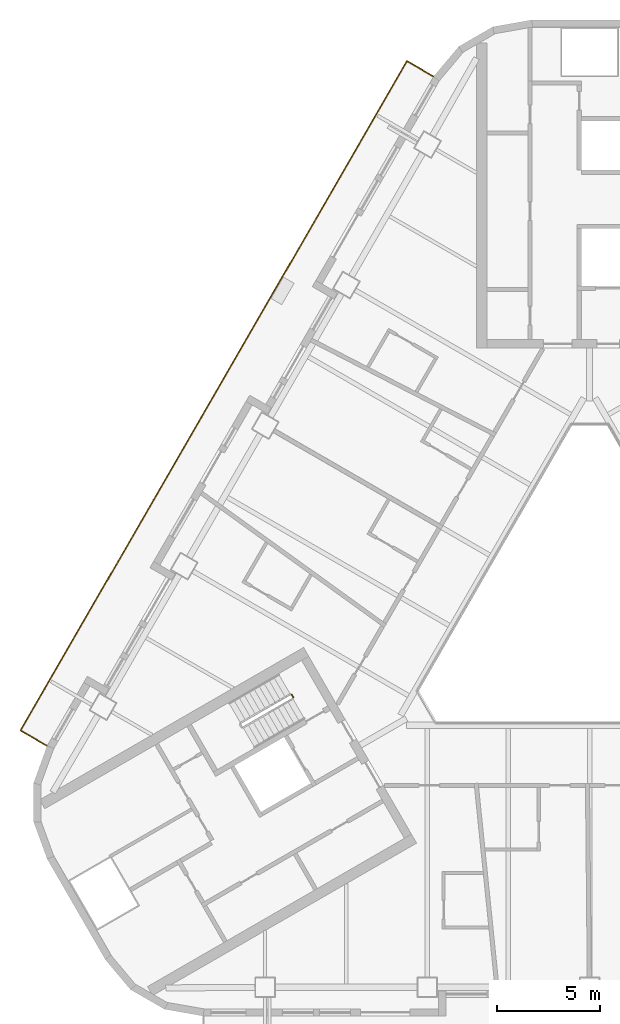
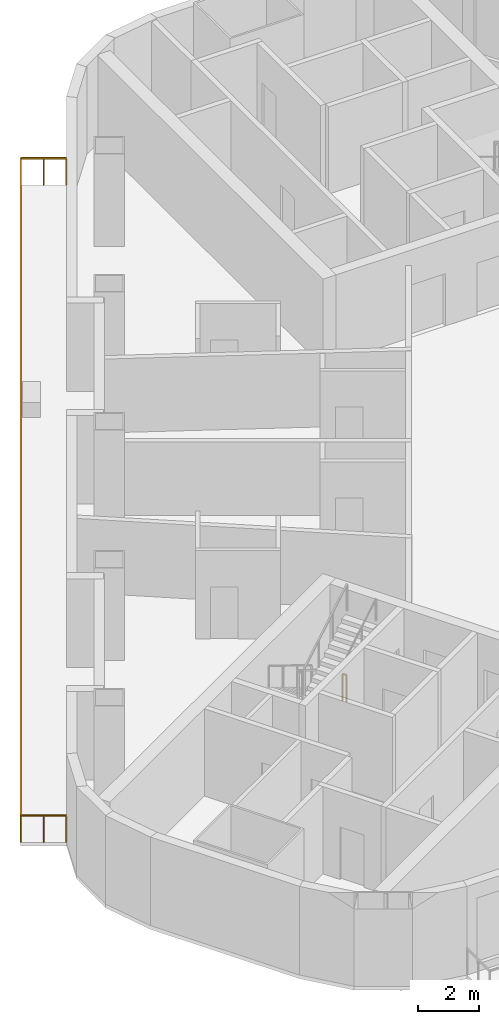
# One storey, part 11 of 14: 2 railings.
"""IFC4 building model written with IfcOpenShell, lengths in metres."""

from ifc_helpers import new_model, si_unit, direction, frame, origin, origin_2d, place, context, subcontext, project, spatial, rectangle, extrude, material, type_object, element, save


model = new_model("IFC4")

# Units and contexts
model_context = context("Model", 3, precision=1e-05, world=origin(), true_north=direction((0.0, 1.0)))
body_context = subcontext(model_context, "Body", "Model", "MODEL_VIEW")
ifc_project = project(units=[si_unit("LENGTHUNIT", "METRE"), si_unit("AREAUNIT", "SQUARE_METRE"), si_unit("VOLUMEUNIT", "CUBIC_METRE"), si_unit("PLANEANGLEUNIT", "RADIAN"), si_unit("MASSUNIT", "GRAM", prefix="KILO")], contexts=[model_context])

# Site, building, storey
site_placement = place(None, origin())
site = spatial("IfcSite", under=ifc_project, at=site_placement, CompositionType="ELEMENT")
building_placement = place(site_placement, origin())
building = spatial("IfcBuilding", under=site, at=building_placement, Name="Apuvela Tower Hotel", CompositionType="ELEMENT")
storey_placement = place(building_placement, frame((0.0, 0.0, 72.39990234375)))
storey = spatial("IfcBuildingStorey", under=building, at=storey_placement, Name="L15", CompositionType="ELEMENT", Elevation=72.39990234375)

# Railings
ifc_material_1 = material(Name="Steel S275 balustrade", Category="steel")
railing_type_1 = type_object("IfcRailingType", Name="COR-GUARD-1100", PredefinedType="GUARDRAIL", material=ifc_material_1)
railing_1_placement = place(storey_placement, frame((-14.500732421875, -3.984130859375, 0.0)))
element("IfcRailing", 1, at=railing_1_placement, inside=storey, type_object=railing_type_1, Name="L15 ST2 stair guard 4", PredefinedType="GUARDRAIL", context=body_context, shape_type="SweptSolid", body=[
    extrude(rectangle(XDim=0.048095703125, YDim=0.048095703125, at=origin_2d()), frame((0.0, 0.0, 1.076171875), z_axis=(0.499816412211, -0.866131372301, 0.0), x_axis=(0.866131372301, 0.499816412211, 0.0)), (0.0, 0.0, 1.0), 0.14990234375),
    extrude(rectangle(XDim=0.0419921875, YDim=0.0419921875, at=origin_2d()), origin(), (0.0, 0.0, 1.0), 1.052001953125),
    extrude(rectangle(XDim=0.0419921875, YDim=0.0419921875, at=origin_2d()), frame((0.074951171875, -0.1298828125, 0.0)), (0.0, 0.0, 1.0), 1.052001953125),
])
ifc_material_2 = material(Name="Stainless steel 316 rail with laminated glass infill", Category="steel")
railing_type_2 = type_object("IfcRailingType", Name="ENV-GUARD-1100", PredefinedType="GUARDRAIL", material=ifc_material_2)
railing_2_placement = place(storey_placement, frame((-7.59228515625, 26.110107421875, 0.0)))
element("IfcRailing", 2, at=railing_2_placement, inside=storey, type_object=railing_type_2, Name="Balcony guard NW L15", PredefinedType="GUARDRAIL", context=body_context, shape_type="SweptSolid", body=[
    extrude(rectangle(XDim=0.050048828125, YDim=0.050048828125, at=origin_2d()), frame((0.0, 0.0, 1.0751953125), z_axis=(-0.86599040064, 0.500060622324, 0.0), x_axis=(-0.500060622324, -0.86599040064, 0.0)), (0.0, 0.0, 1.0), 1.499755859375),
    extrude(rectangle(XDim=0.050048828125, YDim=0.050048828125, at=origin_2d()), frame((-1.298828125, 0.75, 1.0751953125), z_axis=(-0.500000437506, -0.86602515119, 0.0), x_axis=(0.86602515119, -0.500000437506, 0.0)), (0.0, 0.0, 1.0), 37.6318359375),
    extrude(rectangle(XDim=0.050048828125, YDim=0.050048828125, at=origin_2d()), frame((-20.11474609375, -31.840087890625, 1.0751953125), z_axis=(0.866031096941, -0.499990139034, 0.0), x_axis=(0.499990139034, 0.866031096941, 0.0)), (0.0, 0.0, 1.0), 1.5),
    extrude(rectangle(XDim=0.0400390625, YDim=0.0400390625, at=origin_2d()), origin(), (0.0, 0.0, 1.0), 1.050048828125),
    extrude(rectangle(XDim=0.0400390625, YDim=0.0400390625, at=origin_2d()), frame((-0.6494140625, 0.375, 0.0)), (0.0, 0.0, 1.0), 1.050048828125),
    extrude(rectangle(XDim=0.0400390625, YDim=0.0400390625, at=origin_2d()), frame((-1.298828125, 0.75, 0.0)), (0.0, 0.0, 1.0), 1.050048828125),
    extrude(rectangle(XDim=0.0400390625, YDim=0.0400390625, at=origin_2d()), frame((-1.88671875, -0.2685546875, 0.0)), (0.0, 0.0, 1.0), 1.050048828125),
    extrude(rectangle(XDim=0.0400390625, YDim=0.0400390625, at=origin_2d()), frame((-2.474853515625, -1.286865234375, 0.0)), (0.0, 0.0, 1.0), 1.050048828125),
    extrude(rectangle(XDim=0.0400390625, YDim=0.0400390625, at=origin_2d()), frame((-3.062744140625, -2.305419921875, 0.0)), (0.0, 0.0, 1.0), 1.050048828125),
    extrude(rectangle(XDim=0.0400390625, YDim=0.0400390625, at=origin_2d()), frame((-3.65087890625, -3.32373046875, 0.0)), (0.0, 0.0, 1.0), 1.050048828125),
    extrude(rectangle(XDim=0.0400390625, YDim=0.0400390625, at=origin_2d()), frame((-4.23876953125, -4.34228515625, 0.0)), (0.0, 0.0, 1.0), 1.050048828125),
    extrude(rectangle(XDim=0.0400390625, YDim=0.0400390625, at=origin_2d()), frame((-4.826904296875, -5.360595703125, 0.0)), (0.0, 0.0, 1.0), 1.050048828125),
    extrude(rectangle(XDim=0.0400390625, YDim=0.0400390625, at=origin_2d()), frame((-5.414794921875, -6.379150390625, 0.0)), (0.0, 0.0, 1.0), 1.050048828125),
    extrude(rectangle(XDim=0.0400390625, YDim=0.0400390625, at=origin_2d()), frame((-6.0029296875, -7.3974609375, 0.0)), (0.0, 0.0, 1.0), 1.050048828125),
    extrude(rectangle(XDim=0.0400390625, YDim=0.0400390625, at=origin_2d()), frame((-6.5908203125, -8.416015625, 0.0)), (0.0, 0.0, 1.0), 1.050048828125),
    extrude(rectangle(XDim=0.0400390625, YDim=0.0400390625, at=origin_2d()), frame((-7.1787109375, -9.434326171875, 0.0)), (0.0, 0.0, 1.0), 1.050048828125),
    extrude(rectangle(XDim=0.0400390625, YDim=0.0400390625, at=origin_2d()), frame((-7.766845703125, -10.452880859375, 0.0)), (0.0, 0.0, 1.0), 1.050048828125),
    extrude(rectangle(XDim=0.0400390625, YDim=0.0400390625, at=origin_2d()), frame((-8.354736328125, -11.47119140625, 0.0)), (0.0, 0.0, 1.0), 1.050048828125),
    extrude(rectangle(XDim=0.0400390625, YDim=0.0400390625, at=origin_2d()), frame((-8.94287109375, -12.48974609375, 0.0)), (0.0, 0.0, 1.0), 1.050048828125),
    extrude(rectangle(XDim=0.0400390625, YDim=0.0400390625, at=origin_2d()), frame((-9.53076171875, -13.508056640625, 0.0)), (0.0, 0.0, 1.0), 1.050048828125),
    extrude(rectangle(XDim=0.0400390625, YDim=0.0400390625, at=origin_2d()), frame((-10.118896484375, -14.526611328125, 0.0)), (0.0, 0.0, 1.0), 1.050048828125),
    extrude(rectangle(XDim=0.0400390625, YDim=0.0400390625, at=origin_2d()), frame((-10.706787109375, -15.544921875, 0.0)), (0.0, 0.0, 1.0), 1.050048828125),
    extrude(rectangle(XDim=0.0400390625, YDim=0.0400390625, at=origin_2d()), frame((-11.294677734375, -16.5634765625, 0.0)), (0.0, 0.0, 1.0), 1.050048828125),
    extrude(rectangle(XDim=0.0400390625, YDim=0.0400390625, at=origin_2d()), frame((-11.8828125, -17.58203125, 0.0)), (0.0, 0.0, 1.0), 1.050048828125),
    extrude(rectangle(XDim=0.0400390625, YDim=0.0400390625, at=origin_2d()), frame((-12.470703125, -18.600341796875, 0.0)), (0.0, 0.0, 1.0), 1.050048828125),
    extrude(rectangle(XDim=0.0400390625, YDim=0.0400390625, at=origin_2d()), frame((-13.058837890625, -19.618896484375, 0.0)), (0.0, 0.0, 1.0), 1.050048828125),
    extrude(rectangle(XDim=0.0400390625, YDim=0.0400390625, at=origin_2d()), frame((-13.646728515625, -20.63720703125, 0.0)), (0.0, 0.0, 1.0), 1.050048828125),
    extrude(rectangle(XDim=0.0400390625, YDim=0.0400390625, at=origin_2d()), frame((-14.23486328125, -21.65576171875, 0.0)), (0.0, 0.0, 1.0), 1.050048828125),
    extrude(rectangle(XDim=0.0400390625, YDim=0.0400390625, at=origin_2d()), frame((-14.82275390625, -22.674072265625, 0.0)), (0.0, 0.0, 1.0), 1.050048828125),
    extrude(rectangle(XDim=0.0400390625, YDim=0.0400390625, at=origin_2d()), frame((-15.41064453125, -23.692626953125, 0.0)), (0.0, 0.0, 1.0), 1.050048828125),
    extrude(rectangle(XDim=0.0400390625, YDim=0.0400390625, at=origin_2d()), frame((-15.998779296875, -24.7109375, 0.0)), (0.0, 0.0, 1.0), 1.050048828125),
    extrude(rectangle(XDim=0.0400390625, YDim=0.0400390625, at=origin_2d()), frame((-16.586669921875, -25.7294921875, 0.0)), (0.0, 0.0, 1.0), 1.050048828125),
    extrude(rectangle(XDim=0.0400390625, YDim=0.0400390625, at=origin_2d()), frame((-17.1748046875, -26.747802734375, 0.0)), (0.0, 0.0, 1.0), 1.050048828125),
    extrude(rectangle(XDim=0.0400390625, YDim=0.0400390625, at=origin_2d()), frame((-17.7626953125, -27.766357421875, 0.0)), (0.0, 0.0, 1.0), 1.050048828125),
    extrude(rectangle(XDim=0.0400390625, YDim=0.0400390625, at=origin_2d()), frame((-18.350830078125, -28.78466796875, 0.0)), (0.0, 0.0, 1.0), 1.050048828125),
    extrude(rectangle(XDim=0.0400390625, YDim=0.0400390625, at=origin_2d()), frame((-18.938720703125, -29.80322265625, 0.0)), (0.0, 0.0, 1.0), 1.050048828125),
    extrude(rectangle(XDim=0.0400390625, YDim=0.0400390625, at=origin_2d()), frame((-19.52685546875, -30.821533203125, 0.0)), (0.0, 0.0, 1.0), 1.050048828125),
    extrude(rectangle(XDim=0.0400390625, YDim=0.0400390625, at=origin_2d()), frame((-20.11474609375, -31.840087890625, 0.0)), (0.0, 0.0, 1.0), 1.050048828125),
    extrude(rectangle(XDim=0.0400390625, YDim=0.0400390625, at=origin_2d()), frame((-19.46533203125, -32.215087890625, 0.0)), (0.0, 0.0, 1.0), 1.050048828125),
    extrude(rectangle(XDim=0.0400390625, YDim=0.0400390625, at=origin_2d()), frame((-18.815673828125, -32.590087890625, 0.0)), (0.0, 0.0, 1.0), 1.050048828125),
])

save(model, "model.ifc")
